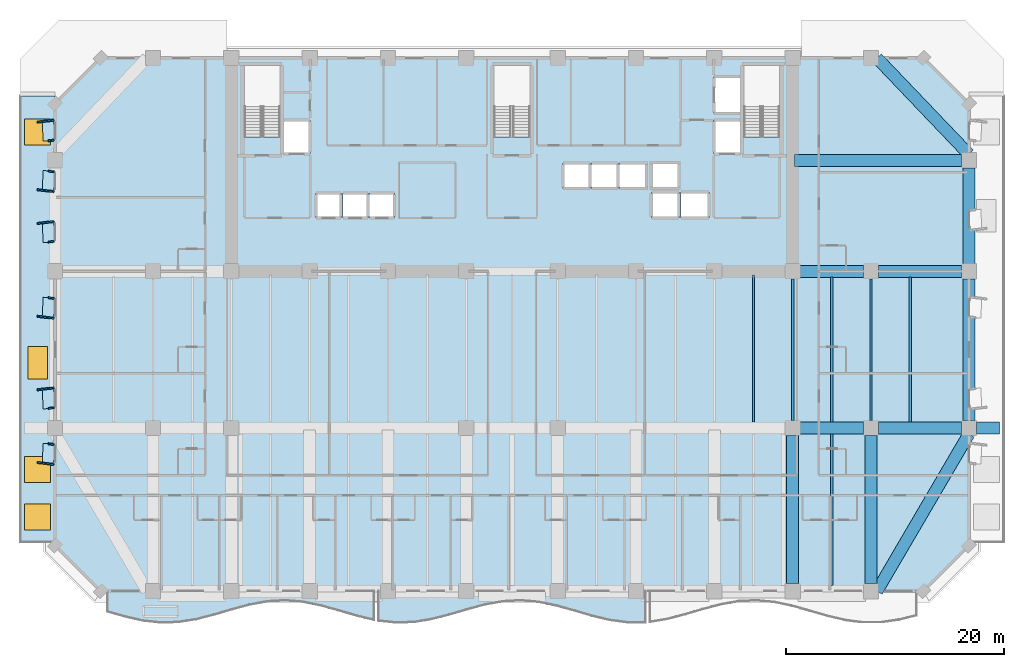
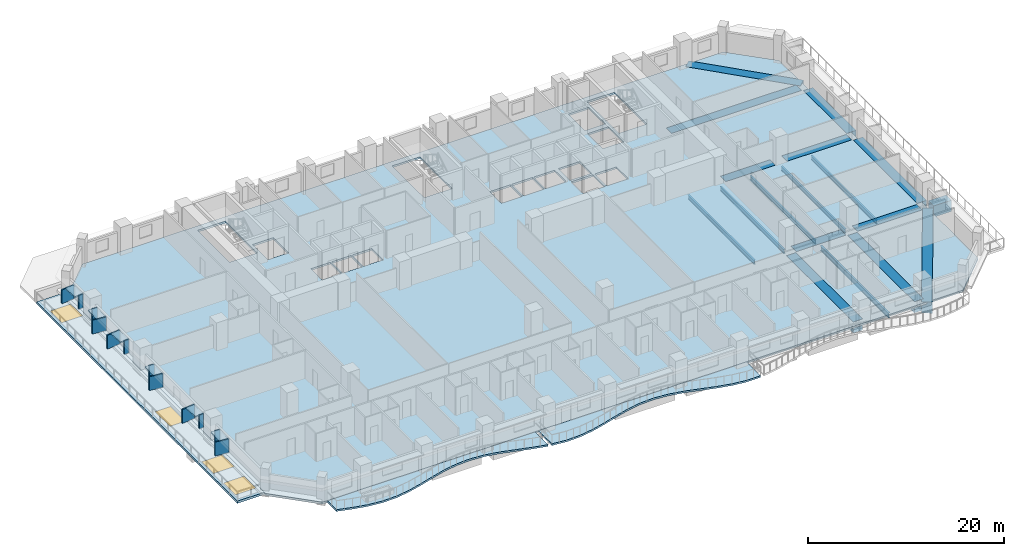
# One storey, part 2 of 17: 18 beams, 18 plates, 4 slabs, 4 windows, 4 openings.
"""IFC4 building model written with IfcOpenShell, lengths in metres."""

from ifc_helpers import new_model, si_unit, direction, frame, origin, origin_2d, place, context, subcontext, project, spatial, polyline, rectangle, i_section, outline, extrude, material, layer, layer_set, material_profile, profile_set, type_object, element, fill, save


model = new_model("IFC4")

# Units and contexts
model_context = context("Model", 3, precision=1e-05, world=origin(), true_north=direction((0.0, 1.0)))
body_context = subcontext(model_context, "Body", "Model", "MODEL_VIEW")
ifc_project = project(units=[si_unit("LENGTHUNIT", "METRE"), si_unit("AREAUNIT", "SQUARE_METRE"), si_unit("VOLUMEUNIT", "CUBIC_METRE"), si_unit("PLANEANGLEUNIT", "RADIAN"), si_unit("MASSUNIT", "GRAM", prefix="KILO")], contexts=[model_context])

# Site, building, storey
site_placement = place(None, origin())
site = spatial("IfcSite", under=ifc_project, at=site_placement, CompositionType="ELEMENT")
building_placement = place(site_placement, origin())
building = spatial("IfcBuilding", under=site, at=building_placement, Name="Kaelvorn Grand Hotel", CompositionType="ELEMENT")
storey_placement = place(building_placement, frame((0.0, 0.0, 31.39990234375)))
storey = spatial("IfcBuildingStorey", under=building, at=storey_placement, Name="L05", CompositionType="ELEMENT", Elevation=31.39990234375)

# Beams
ifc_material_1 = material(Name="Steel S355", Category="steel")
ifc_material_profile_1 = material_profile(ifc_material_1, i_section(OverallWidth=0.209228515625, OverallDepth=0.533203125, WebThickness=0.010009765625, FlangeThickness=0.015625, FilletRadius=0.0126953125, at=origin_2d()), Name="UB 533x210x92")
ifc_profile_set_1 = profile_set([ifc_material_profile_1], Name="Steel S355")
beam_type_1 = type_object("IfcBeamType", Name="BM-J-UB533-S355", PredefinedType="JOIST", material=ifc_profile_set_1)
beam_1_placement = place(storey_placement, frame((64.199951171875, 15.534912109375, -0.50634765625), z_axis=(0.0, 1.0, 0.0), x_axis=(-1.0, 0.0, 0.0)))
element("IfcBeam", 1, at=beam_1_placement, inside=storey, type_object=beam_type_1, Name="L05 Composite Floor Joist JM-18", PredefinedType="JOIST", context=body_context, shape_type="SweptSolid", body=[
    extrude(i_section(OverallWidth=0.209228515625, OverallDepth=0.533203125, WebThickness=0.010009765625, FlangeThickness=0.015625, FilletRadius=0.0126953125, at=origin_2d()), origin(), (0.0, 0.0, 1.0), 13.525146484375),
])
beam_2_placement = place(storey_placement, frame((67.800048828125, 15.68505859375, -0.50634765625), z_axis=(0.0, 1.0, 0.0), x_axis=(-1.0, 0.0, 0.0)))
element("IfcBeam", 2, at=beam_2_placement, inside=storey, type_object=beam_type_1, Name="L05 Composite Floor Joist JM-19", PredefinedType="JOIST", context=body_context, shape_type="SweptSolid", body=[
    extrude(i_section(OverallWidth=0.209228515625, OverallDepth=0.533203125, WebThickness=0.010009765625, FlangeThickness=0.015625, FilletRadius=0.0126953125, at=origin_2d()), origin(), (0.0, 0.0, 1.0), 13.030029296875),
])
beam_3_placement = place(storey_placement, frame((71.39990234375, 15.534912109375, -0.50634765625), z_axis=(0.0, 1.0, 0.0), x_axis=(-1.0, 0.0, 0.0)))
element("IfcBeam", 3, at=beam_3_placement, inside=storey, type_object=beam_type_1, Name="L05 Composite Floor Joist JM-20", PredefinedType="JOIST", context=body_context, shape_type="SweptSolid", body=[
    extrude(i_section(OverallWidth=0.209228515625, OverallDepth=0.533203125, WebThickness=0.010009765625, FlangeThickness=0.015625, FilletRadius=0.0126953125, at=origin_2d()), origin(), (0.0, 0.0, 1.0), 13.330078125),
])
beam_4_placement = place(storey_placement, frame((75.0, 15.68505859375, -0.50634765625), z_axis=(0.0, 1.0, 0.0), x_axis=(-1.0, 0.0, 0.0)))
element("IfcBeam", 4, at=beam_4_placement, inside=storey, type_object=beam_type_1, Name="L05 Composite Floor Joist JM-21", PredefinedType="JOIST", context=body_context, shape_type="SweptSolid", body=[
    extrude(i_section(OverallWidth=0.209228515625, OverallDepth=0.533203125, WebThickness=0.010009765625, FlangeThickness=0.015625, FilletRadius=0.0126953125, at=origin_2d()), origin(), (0.0, 0.0, 1.0), 13.030029296875),
])
beam_5_placement = place(storey_placement, frame((78.60009765625, 15.534912109375, -0.50634765625), z_axis=(0.0, 1.0, 0.0), x_axis=(-1.0, 0.0, 0.0)))
element("IfcBeam", 5, at=beam_5_placement, inside=storey, type_object=beam_type_1, Name="L05 Composite Floor Joist JM-22", PredefinedType="JOIST", context=body_context, shape_type="SweptSolid", body=[
    extrude(i_section(OverallWidth=0.209228515625, OverallDepth=0.533203125, WebThickness=0.010009765625, FlangeThickness=0.015625, FilletRadius=0.0126953125, at=origin_2d()), origin(), (0.0, 0.0, 1.0), 13.330078125),
])
ifc_material_profile_2 = material_profile(ifc_material_1, i_section(OverallWidth=0.22900390625, OverallDepth=0.6123046875, WebThickness=0.011962890625, FlangeThickness=0.01953125, FilletRadius=0.0126953125, at=origin_2d()), Name="UB 610x229x125")
ifc_profile_set_2 = profile_set([ifc_material_profile_2], Name="Steel S355")
beam_type_2 = type_object("IfcBeamType", Name="BM-J-UB610-S355", PredefinedType="JOIST", material=ifc_profile_set_2)
beam_6_placement = place(storey_placement, frame((71.39990234375, 0.534912109375, -0.5458984375), z_axis=(0.0, 1.0, 0.0), x_axis=(-1.0, 0.0, 0.0)))
element("IfcBeam", 6, at=beam_6_placement, inside=storey, type_object=beam_type_2, Name="L05 Composite Floor Joist JS-20", PredefinedType="JOIST", context=body_context, shape_type="SweptSolid", body=[
    extrude(i_section(OverallWidth=0.22900390625, OverallDepth=0.6123046875, WebThickness=0.011962890625, FlangeThickness=0.01953125, FilletRadius=0.0126953125, at=origin_2d()), origin(), (0.0, 0.0, 1.0), 13.93017578125),
])
ifc_material_2 = material(Name="Concrete C60/75", Category="concrete")
ifc_material_profile_3 = material_profile(ifc_material_2, rectangle(XDim=1.10009765625, YDim=1.39990234375, at=origin_2d()), Name="RC TG 1100x1400")
ifc_profile_set_3 = profile_set([ifc_material_profile_3], Name="Concrete C60/75")
beam_type_3 = type_object("IfcBeamType", Name="BM-TG-1100x1400-C60", PredefinedType="USERDEFINED", material=ifc_profile_set_3)
beam_7_placement = place(storey_placement, frame((68.485107421875, 15.0, -0.699951171875), z_axis=(1.0, 0.0, 0.0), x_axis=(0.0, 1.0, 0.0)))
element("IfcBeam", 7, at=beam_7_placement, inside=storey, type_object=beam_type_3, Name="L05 Setback Spine Transfer Girder TG2-M15 07", ObjectType="TRANSFER GIRDER", PredefinedType="USERDEFINED", context=body_context, shape_type="SweptSolid", body=[
    extrude(rectangle(XDim=1.10009765625, YDim=1.39990234375, at=origin_2d()), origin(), (0.0, 0.0, 1.0), 5.829833984375),
])
beam_8_placement = place(storey_placement, frame((75.68505859375, 15.0, -0.699951171875), z_axis=(1.0, 0.0, 0.0), x_axis=(0.0, 1.0, 0.0)))
element("IfcBeam", 8, at=beam_8_placement, inside=storey, type_object=beam_type_3, Name="L05 Setback Spine Transfer Girder TG2-M15 08", ObjectType="TRANSFER GIRDER", PredefinedType="USERDEFINED", context=body_context, shape_type="SweptSolid", body=[
    extrude(rectangle(XDim=1.10009765625, YDim=1.39990234375, at=origin_2d()), origin(), (0.0, 0.0, 1.0), 7.6298828125),
])
beam_9_placement = place(storey_placement, frame((84.68505859375, 15.0, -0.699951171875), z_axis=(1.0, 0.0, 0.0), x_axis=(0.0, 1.0, 0.0)))
element("IfcBeam", 9, at=beam_9_placement, inside=storey, type_object=beam_type_3, Name="L05 Setback Spine Transfer Girder TG2-M15 09", ObjectType="TRANSFER GIRDER", PredefinedType="USERDEFINED", context=body_context, shape_type="SweptSolid", body=[
    extrude(rectangle(XDim=1.10009765625, YDim=1.39990234375, at=origin_2d()), origin(), (0.0, 0.0, 1.0), 2.10498046875),
])
for number, where, z_axis, x_axis, name in (
    (10, (67.800048828125, 0.68505859375, -0.699951171875), (0.0, 1.0, 0.0), (-1.0, 0.0, 0.0), "L05 Setback Radial Transfer Girder TG2-S09 01"),
    (11, (75.0, 0.68505859375, -0.699951171875), (0.0, 1.0, 0.0), (-1.0, 0.0, 0.0), "L05 Setback Radial Transfer Girder TG2-S10 01"),
):
    element("IfcBeam", number, at=place(storey_placement, frame(where, z_axis=z_axis, x_axis=x_axis)), inside=storey, type_object=beam_type_3, Name=name, ObjectType="TRANSFER GIRDER", PredefinedType="USERDEFINED", context=body_context, shape_type="SweptSolid", body=[
        extrude(rectangle(XDim=1.10009765625, YDim=1.39990234375, at=origin_2d()), origin(), (0.0, 0.0, 1.0), 13.6298828125),
    ])
beam_10_placement = place(storey_placement, frame((68.485107421875, 29.39990234375, -0.699951171875), z_axis=(1.0, 0.0, 0.0), x_axis=(0.0, 1.0, 0.0)))
element("IfcBeam", 12, at=beam_10_placement, inside=storey, type_object=beam_type_3, Name="L05 Setback Radial Transfer Girder TG2-E01 01", ObjectType="TRANSFER GIRDER", PredefinedType="USERDEFINED", context=body_context, shape_type="SweptSolid", body=[
    extrude(rectangle(XDim=1.10009765625, YDim=1.39990234375, at=origin_2d()), origin(), (0.0, 0.0, 1.0), 5.829833984375),
])
beam_11_placement = place(storey_placement, frame((75.68505859375, 29.39990234375, -0.699951171875), z_axis=(1.0, 0.0, 0.0), x_axis=(0.0, 1.0, 0.0)))
element("IfcBeam", 13, at=beam_11_placement, inside=storey, type_object=beam_type_3, Name="L05 Setback Radial Transfer Girder TG2-E01 02", ObjectType="TRANSFER GIRDER", PredefinedType="USERDEFINED", context=body_context, shape_type="SweptSolid", body=[
    extrude(rectangle(XDim=1.10009765625, YDim=1.39990234375, at=origin_2d()), origin(), (0.0, 0.0, 1.0), 7.6298828125),
])
beam_12_placement = place(storey_placement, frame((67.985107421875, 39.60009765625, -0.699951171875), z_axis=(1.0, 0.0, 0.0), x_axis=(0.0, 1.0, 0.0)))
element("IfcBeam", 14, at=beam_12_placement, inside=storey, type_object=beam_type_3, Name="L05 Setback Radial Transfer Girder TG2-E02 01", ObjectType="TRANSFER GIRDER", PredefinedType="USERDEFINED", context=body_context, shape_type="SweptSolid", body=[
    extrude(rectangle(XDim=1.10009765625, YDim=1.39990234375, at=origin_2d()), origin(), (0.0, 0.0, 1.0), 15.329833984375),
])
beam_13_placement = place(storey_placement, frame((84.0, 15.68505859375, -0.699951171875), z_axis=(0.0, 1.0, 0.0), x_axis=(-1.0, 0.0, 0.0)))
element("IfcBeam", 15, at=beam_13_placement, inside=storey, type_object=beam_type_3, Name="L05 Setback E Ring Transfer Girder 01", ObjectType="TRANSFER GIRDER", PredefinedType="USERDEFINED", context=body_context, shape_type="SweptSolid", body=[
    extrude(rectangle(XDim=1.10009765625, YDim=1.39990234375, at=origin_2d()), origin(), (0.0, 0.0, 1.0), 13.030029296875),
])
beam_14_placement = place(storey_placement, frame((84.0, 30.0849609375, -0.699951171875), z_axis=(0.0, 1.0, 0.0), x_axis=(-1.0, 0.0, 0.0)))
element("IfcBeam", 16, at=beam_14_placement, inside=storey, type_object=beam_type_3, Name="L05 Setback E Ring Transfer Girder 02", ObjectType="TRANSFER GIRDER", PredefinedType="USERDEFINED", context=body_context, shape_type="SweptSolid", body=[
    extrude(rectangle(XDim=1.10009765625, YDim=1.39990234375, at=origin_2d()), origin(), (0.0, 0.0, 1.0), 8.830078125),
])
beam_15_placement = place(storey_placement, frame((75.5400390625, 0.0, -0.699951171875), z_axis=(0.505243827277, 0.862976636415, 0.0), x_axis=(-0.862976636415, 0.505243827277, 0.0)))
element("IfcBeam", 17, at=beam_15_placement, inside=storey, type_object=beam_type_3, Name="L05 Setback Chamfer Transfer Girder 2", ObjectType="TRANSFER GIRDER", PredefinedType="USERDEFINED", context=body_context, shape_type="SweptSolid", body=[
    extrude(rectangle(XDim=1.10009765625, YDim=1.39990234375, at=origin_2d()), origin(), (0.0, 0.0, 1.0), 16.744384765625),
])
beam_16_placement = place(storey_placement, frame((84.0, 40.14990234375, -0.699951171875), z_axis=(-0.690566852823, 0.723268568225, 0.0), x_axis=(-0.723268568225, -0.690566852823, 0.0)))
element("IfcBeam", 18, at=beam_16_placement, inside=storey, type_object=beam_type_3, Name="L05 Setback Chamfer Transfer Girder 3", ObjectType="TRANSFER GIRDER", PredefinedType="USERDEFINED", context=body_context, shape_type="SweptSolid", body=[
    extrude(rectangle(XDim=1.10009765625, YDim=1.39990234375, at=origin_2d()), origin(), (0.0, 0.0, 1.0), 12.236328125),
])

# Plates
ifc_material_3 = material(Name="Precast concrete C45/55", Category="concrete")
ifc_layer_1 = layer(ifc_material_3, 0.159912109375)
ifc_layer_set_1 = layer_set([ifc_layer_1], Name="Precast concrete C45/55")
plate_type_1 = type_object("IfcPlateType", Name="PL-FRAME-DEEP-1550", PredefinedType="USERDEFINED", material=ifc_layer_set_1)
for number, where, z_axis, x_axis, name in (
    (19, (-0.864990234375, 11.735107421875, 0.68994140625), (0.0, 0.0, 1.0), (0.121869343405, 0.992546151641, 0.0), "L05 Tilted Precast Window Frame Fin L-W01"),
    (20, (-0.864990234375, 18.60009765625, 0.68994140625), (0.0, 0.0, 1.0), (-0.121869343405, 0.992546151641, 0.0), "L05 Tilted Precast Window Frame Fin R-W02"),
    (21, (-0.864990234375, 25.169921875, 0.68994140625), (0.0, 0.0, 1.0), (0.121869343405, 0.992546151641, 0.0), "L05 Tilted Precast Window Frame Fin L-W03"),
    (22, (-0.864990234375, 33.889892578125, 0.68994140625), (0.0, 0.0, 1.0), (-0.121869343405, 0.992546151641, 0.0), "L05 Tilted Precast Window Frame Fin R-W04"),
    (23, (-0.864990234375, 36.81005859375, 0.68994140625), (0.0, 0.0, 1.0), (0.121869343405, 0.992546151641, 0.0), "L05 Tilted Precast Window Frame Fin L-W05"),
    (24, (-0.864990234375, 43.205078125, 0.68994140625), (0.0, 0.0, 1.0), (-0.121869343405, 0.992546151641, 0.0), "L05 Tilted Precast Window Frame Fin R-W06"),
):
    element("IfcPlate", number, at=place(storey_placement, frame(where, z_axis=z_axis, x_axis=x_axis)), inside=storey, type_object=plate_type_1, Name=name, ObjectType="FLANGE_PLATE", PredefinedType="USERDEFINED", context=body_context, shape_type="SweptSolid", body=[
        extrude(rectangle(XDim=0.159912109375, YDim=1.550048828125, at=origin_2d()), origin(), (0.0, 0.0, 1.0), 1.719970703125),
    ])
ifc_layer_2 = layer(ifc_material_3, 0.159912109375)
ifc_layer_set_2 = layer_set([ifc_layer_2], Name="Precast concrete C45/55")
plate_type_2 = type_object("IfcPlateType", Name="PL-FRAME-HEAD-1050", PredefinedType="USERDEFINED", material=ifc_layer_set_2)
for number, where, z_axis, x_axis, name in (
    (25, (-0.614990234375, 12.625, 2.25), (0.0, 0.0, 1.0), (0.054950179912, 0.998489097451, 0.0), "L05 Precast Window Frame Head Hood H-W01"),
    (26, (-0.614990234375, 17.7099609375, 2.25), (0.0, 0.0, 1.0), (-0.054950179912, 0.998489097451, 0.0), "L05 Precast Window Frame Head Hood H-W02"),
    (27, (-0.614990234375, 26.06005859375, 2.25), (0.0, 0.0, 1.0), (0.054950179912, 0.998489097451, 0.0), "L05 Precast Window Frame Head Hood H-W03"),
    (28, (-0.614990234375, 33.0, 2.25), (0.0, 0.0, 1.0), (-0.054950179912, 0.998489097451, 0.0), "L05 Precast Window Frame Head Hood H-W04"),
    (29, (-0.614990234375, 37.699951171875, 2.25), (0.0, 0.0, 1.0), (0.054950179912, 0.998489097451, 0.0), "L05 Precast Window Frame Head Hood H-W05"),
    (30, (-0.614990234375, 42.31494140625, 2.25), (0.0, 0.0, 1.0), (-0.054950179912, 0.998489097451, 0.0), "L05 Precast Window Frame Head Hood H-W06"),
):
    element("IfcPlate", number, at=place(storey_placement, frame(where, z_axis=z_axis, x_axis=x_axis)), inside=storey, type_object=plate_type_2, Name=name, ObjectType="FLANGE_PLATE", PredefinedType="USERDEFINED", context=body_context, shape_type="SweptSolid", body=[
        extrude(rectangle(XDim=1.860107421875, YDim=1.050048828125, at=origin_2d()), origin(), (0.0, 0.0, 1.0), 0.159912109375),
    ])
ifc_layer_3 = layer(ifc_material_3, 0.159912109375)
ifc_layer_set_3 = layer_set([ifc_layer_3], Name="Precast concrete C45/55")
plate_type_3 = type_object("IfcPlateType", Name="PL-FRAME-SHAL-550", PredefinedType="USERDEFINED", material=ifc_layer_set_3)
for number, where, z_axis, x_axis, name in (
    (31, (-0.364990234375, 13.514892578125, 0.68994140625), (0.0, 0.0, 1.0), (0.121869343405, 0.992546151641, 0.0), "L05 Tilted Precast Window Frame Fin R-W01"),
    (32, (-0.364990234375, 16.820068359375, 0.68994140625), (0.0, 0.0, 1.0), (-0.121869343405, 0.992546151641, 0.0), "L05 Tilted Precast Window Frame Fin L-W02"),
    (33, (-0.364990234375, 26.949951171875, 0.68994140625), (0.0, 0.0, 1.0), (0.121869343405, 0.992546151641, 0.0), "L05 Tilted Precast Window Frame Fin R-W03"),
    (34, (-0.364990234375, 32.110107421875, 0.68994140625), (0.0, 0.0, 1.0), (-0.121869343405, 0.992546151641, 0.0), "L05 Tilted Precast Window Frame Fin L-W04"),
    (35, (-0.364990234375, 38.590087890625, 0.68994140625), (0.0, 0.0, 1.0), (0.121869343405, 0.992546151641, 0.0), "L05 Tilted Precast Window Frame Fin R-W05"),
    (36, (-0.364990234375, 41.425048828125, 0.68994140625), (0.0, 0.0, 1.0), (-0.121869343405, 0.992546151641, 0.0), "L05 Tilted Precast Window Frame Fin L-W06"),
):
    element("IfcPlate", number, at=place(storey_placement, frame(where, z_axis=z_axis, x_axis=x_axis)), inside=storey, type_object=plate_type_3, Name=name, ObjectType="FLANGE_PLATE", PredefinedType="USERDEFINED", context=body_context, shape_type="SweptSolid", body=[
        extrude(rectangle(XDim=0.159912109375, YDim=0.550048828125, at=origin_2d()), origin(), (0.0, 0.0, 1.0), 1.719970703125),
    ])

# Slabs
ifc_material_4 = material(Name="Concrete C40/50", Category="concrete")
ifc_layer_4 = layer(ifc_material_4, 0.219970703125)
ifc_layer_set_4 = layer_set([ifc_layer_4], Name="Concrete C40/50")
slab_type_1 = type_object("IfcSlabType", Name="SLB-BALC-220-C40", PredefinedType="FLOOR", material=ifc_layer_set_4)
slab_1_placement = place(storey_placement, frame((0.0, 0.0, -0.219970703125)))
element("IfcSlab", 37, at=slab_1_placement, inside=storey, type_object=slab_type_1, Name="L05 Scalloped Wave Balcony Slab 1", PredefinedType="FLOOR", context=body_context, shape_type="SweptSolid", body=[
    extrude(outline(polyline([(4.800048828125, -1.875), (6.435546875, -2.344482421875), (8.071044921875, -2.709716796875), (9.706787109375, -2.889404296875), (11.34228515625, -2.843994140625), (12.977783203125, -2.583251953125), (14.61328125, -2.165283203125), (16.248779296875, -1.6826171875), (17.884521484375, -1.242919921875), (19.52001953125, -0.943603515625), (21.155517578125, -0.85107421875), (22.791015625, -0.986083984375), (24.4267578125, -1.318359375), (26.062255859375, -1.7744140625), (27.69775390625, -2.2529296875), (29.333251953125, -2.647216796875), (29.333251953125, 0.0), (4.800048828125, 0.0), (4.800048828125, -1.875)])), origin(), (0.0, 0.0, 1.0), 0.219970703125),
])
slab_2_placement = place(storey_placement, frame((0.0, 0.0, -0.219970703125)))
element("IfcSlab", 38, at=slab_2_placement, inside=storey, type_object=slab_type_1, Name="L05 Scalloped Wave Balcony Slab 2", PredefinedType="FLOOR", context=body_context, shape_type="SweptSolid", body=[
    extrude(outline(polyline([(29.7333984375, -2.72021484375), (31.368896484375, -2.891845703125), (33.00439453125, -2.837646484375), (34.639892578125, -2.569580078125), (36.275634765625, -2.147216796875), (37.9111328125, -1.66455078125), (39.546630859375, -1.228515625), (41.18212890625, -0.93603515625), (42.81787109375, -0.85205078125), (44.453369140625, -0.995361328125), (46.0888671875, -1.333984375), (47.724365234375, -1.79296875), (49.360107421875, -2.27001953125), (50.99560546875, -2.659423828125), (52.631103515625, -2.87451171875), (54.2666015625, -2.86767578125), (54.2666015625, 0.0), (29.7333984375, 0.0), (29.7333984375, -2.72021484375)])), origin(), (0.0, 0.0, 1.0), 0.219970703125),
])
ifc_layer_5 = layer(ifc_material_4, 0.239990234375)
ifc_layer_set_5 = layer_set([ifc_layer_5], Name="Concrete C40/50")
slab_type_2 = type_object("IfcSlabType", Name="SLB-FLR-240-C40", PredefinedType="FLOOR", material=ifc_layer_set_5)
slab_3_placement = place(storey_placement, frame((0.0, 0.0, -0.239990234375)))
element("IfcSlab", 39, at=slab_3_placement, inside=storey, type_object=slab_type_2, Name="L05 Indoor Suspended Floor Slab", PredefinedType="FLOOR", context=body_context, shape_type="SweptSolid", body=[
    extrude(outline(polyline([(4.199951171875, 0.0), (79.800048828125, 0.0), (84.0, 4.199951171875), (84.0, 44.800048828125), (79.800048828125, 49.0), (4.199951171875, 49.0), (0.0, 44.800048828125), (0.0, 4.199951171875), (4.199951171875, 0.0)]), holes=[polyline([(17.39990234375, 41.760009765625), (17.39990234375, 48.300048828125), (20.679931640625, 48.300048828125), (20.679931640625, 41.760009765625), (17.39990234375, 41.760009765625)]), polyline([(40.360107421875, 41.760009765625), (40.360107421875, 48.300048828125), (43.639892578125, 48.300048828125), (43.639892578125, 41.760009765625), (40.360107421875, 41.760009765625)]), polyline([(63.320068359375, 41.760009765625), (63.320068359375, 48.300048828125), (66.60009765625, 48.300048828125), (66.60009765625, 41.760009765625), (63.320068359375, 41.760009765625)]), polyline([(24.0, 34.300048828125), (24.0, 36.60009765625), (26.300048828125, 36.60009765625), (26.300048828125, 34.300048828125), (24.0, 34.300048828125)]), polyline([(26.449951171875, 34.300048828125), (26.449951171875, 36.60009765625), (28.75, 36.60009765625), (28.75, 34.300048828125), (26.449951171875, 34.300048828125)]), polyline([(28.89990234375, 34.300048828125), (28.89990234375, 36.60009765625), (31.199951171875, 36.60009765625), (31.199951171875, 34.300048828125), (28.89990234375, 34.300048828125)]), polyline([(46.699951171875, 37.0), (46.699951171875, 39.35009765625), (49.14990234375, 39.35009765625), (49.14990234375, 37.0), (46.699951171875, 37.0)]), polyline([(49.300048828125, 37.0), (49.300048828125, 39.35009765625), (51.75, 39.35009765625), (51.75, 37.0), (49.300048828125, 37.0)]), polyline([(51.89990234375, 37.0), (51.89990234375, 39.35009765625), (54.35009765625, 39.35009765625), (54.35009765625, 37.0), (51.89990234375, 37.0)]), polyline([(54.800048828125, 34.300048828125), (54.800048828125, 36.699951171875), (57.35009765625, 36.699951171875), (57.35009765625, 34.300048828125), (54.800048828125, 34.300048828125)]), polyline([(57.550048828125, 34.300048828125), (57.550048828125, 36.699951171875), (60.10009765625, 36.699951171875), (60.10009765625, 34.300048828125), (57.550048828125, 34.300048828125)]), polyline([(54.800048828125, 37.0), (54.800048828125, 39.39990234375), (57.35009765625, 39.39990234375), (57.35009765625, 37.0), (54.800048828125, 37.0)]), polyline([(21.0, 40.199951171875), (21.0, 43.300048828125), (23.449951171875, 43.300048828125), (23.449951171875, 40.199951171875), (21.0, 40.199951171875)]), polyline([(60.550048828125, 40.199951171875), (60.550048828125, 43.300048828125), (63.0, 43.300048828125), (63.0, 40.199951171875), (60.550048828125, 40.199951171875)]), polyline([(60.550048828125, 43.89990234375), (60.550048828125, 47.300048828125), (63.0, 47.300048828125), (63.0, 43.89990234375), (60.550048828125, 43.89990234375)])]), origin(), (0.0, 0.0, 1.0), 0.239990234375),
])

# Slab, openings, windows
ifc_layer_6 = layer(ifc_material_4, 0.280029296875)
ifc_layer_set_6 = layer_set([ifc_layer_6], Name="Concrete C40/50")
slab_type_3 = type_object("IfcSlabType", Name="SLB-TERR-280-C40", PredefinedType="ROOF", material=ifc_layer_set_6)
slab_4_placement = place(storey_placement, frame((0.0, 0.0, -0.27978515625)))
slab_4 = element("IfcSlab", 40, at=slab_4_placement, inside=storey, type_object=slab_type_3, Name="L05 Setback Sky Terrace Roof Slab W", PredefinedType="ROOF", context=body_context, shape_type="SweptSolid", body=[
    extrude(outline(polyline([(-3.199951171875, 4.5), (0.0, 4.5), (0.0, 45.5), (-3.199951171875, 45.5), (-3.199951171875, 4.5)])), origin(), (0.0, 0.0, 1.0), 0.27978515625),
])
opening_1_placement = place(slab_4_placement, frame((-1.60009765625, 21.0, -0.010009765625)))
opening_1 = element("IfcOpeningElement", 41, at=opening_1_placement, cuts=slab_4, Name="Opening SK2", PredefinedType="OPENING", context=body_context, shape_type="SweptSolid", body=[
    extrude(rectangle(XDim=1.800048828125, YDim=3.0, at=origin_2d()), origin(), (0.0, 0.0, 1.0), 0.2998046875),
])
opening_2_placement = place(slab_4_placement, frame((-1.60009765625, 6.800048828125, -0.010009765625)))
opening_2 = element("IfcOpeningElement", 42, at=opening_2_placement, cuts=slab_4, Name="Opening SK1", PredefinedType="OPENING", context=body_context, shape_type="SweptSolid", body=[
    extrude(rectangle(XDim=2.39990234375, YDim=2.39990234375, at=origin_2d()), origin(), (0.0, 0.0, 1.0), 0.2998046875),
])
opening_3_placement = place(slab_4_placement, frame((-1.60009765625, 11.199951171875, -0.010009765625)))
opening_3 = element("IfcOpeningElement", 43, at=opening_3_placement, cuts=slab_4, Name="Opening SK1", PredefinedType="OPENING", context=body_context, shape_type="SweptSolid", body=[
    extrude(rectangle(XDim=2.39990234375, YDim=2.39990234375, at=origin_2d()), origin(), (0.0, 0.0, 1.0), 0.2998046875),
])
opening_4_placement = place(slab_4_placement, frame((-1.60009765625, 42.199951171875, -0.010009765625)))
opening_4 = element("IfcOpeningElement", 44, at=opening_4_placement, cuts=slab_4, Name="Opening SK1", PredefinedType="OPENING", context=body_context, shape_type="SweptSolid", body=[
    extrude(rectangle(XDim=2.39990234375, YDim=2.39990234375, at=origin_2d()), origin(), (0.0, 0.0, 1.0), 0.2998046875),
])
ifc_material_5 = material(Name="Laminated Low-E Glass", Category="glass")
window_type_1 = type_object("IfcWindowType", Name="SKY-POD-3000x3000", PartitioningType="SINGLE_PANEL", PredefinedType="SKYLIGHT", material=ifc_material_5)
window_1_placement = place(slab_4_placement, frame((-1.60009765625, 21.0, 0.229736328125)))
window_1 = element("IfcWindow", 45, at=window_1_placement, inside=storey, type_object=window_type_1, Name="L05 Podium Terrace Foyer Skylight SK2-1", OverallHeight=3.0, OverallWidth=1.800048828125, PartitioningType="SINGLE_PANEL", PredefinedType="SKYLIGHT", context=body_context, shape_type="SweptSolid", body=[
    extrude(rectangle(XDim=1.800048828125, YDim=3.0, at=origin_2d()), origin(), (0.0, 0.0, 1.0), 0.050048828125),
])
fill(opening_1, window_1)
window_type_2 = type_object("IfcWindowType", Name="SKY-ROOF-2400x2400", PartitioningType="SINGLE_PANEL", PredefinedType="SKYLIGHT", material=ifc_material_5)
window_2_placement = place(slab_4_placement, frame((-1.60009765625, 6.800048828125, 0.229736328125)))
window_2 = element("IfcWindow", 46, at=window_2_placement, inside=storey, type_object=window_type_2, Name="L05 Podium Wing Roof Daylight Skylight SK1-01", OverallHeight=2.39990234375, OverallWidth=2.39990234375, PartitioningType="SINGLE_PANEL", PredefinedType="SKYLIGHT", context=body_context, shape_type="SweptSolid", body=[
    extrude(rectangle(XDim=2.39990234375, YDim=2.39990234375, at=origin_2d()), origin(), (0.0, 0.0, 1.0), 0.050048828125),
])
fill(opening_2, window_2)
window_3_placement = place(slab_4_placement, frame((-1.60009765625, 11.199951171875, 0.229736328125)))
window_3 = element("IfcWindow", 47, at=window_3_placement, inside=storey, type_object=window_type_2, Name="L05 Podium Wing Roof Daylight Skylight SK1-02", OverallHeight=2.39990234375, OverallWidth=2.39990234375, PartitioningType="SINGLE_PANEL", PredefinedType="SKYLIGHT", context=body_context, shape_type="SweptSolid", body=[
    extrude(rectangle(XDim=2.39990234375, YDim=2.39990234375, at=origin_2d()), origin(), (0.0, 0.0, 1.0), 0.050048828125),
])
fill(opening_3, window_3)
window_4_placement = place(slab_4_placement, frame((-1.60009765625, 42.199951171875, 0.229736328125)))
window_4 = element("IfcWindow", 48, at=window_4_placement, inside=storey, type_object=window_type_2, Name="L05 Podium Wing Roof Daylight Skylight SK1-03", OverallHeight=2.39990234375, OverallWidth=2.39990234375, PartitioningType="SINGLE_PANEL", PredefinedType="SKYLIGHT", context=body_context, shape_type="SweptSolid", body=[
    extrude(rectangle(XDim=2.39990234375, YDim=2.39990234375, at=origin_2d()), origin(), (0.0, 0.0, 1.0), 0.050048828125),
])
fill(opening_4, window_4)

save(model, "model.ifc")
